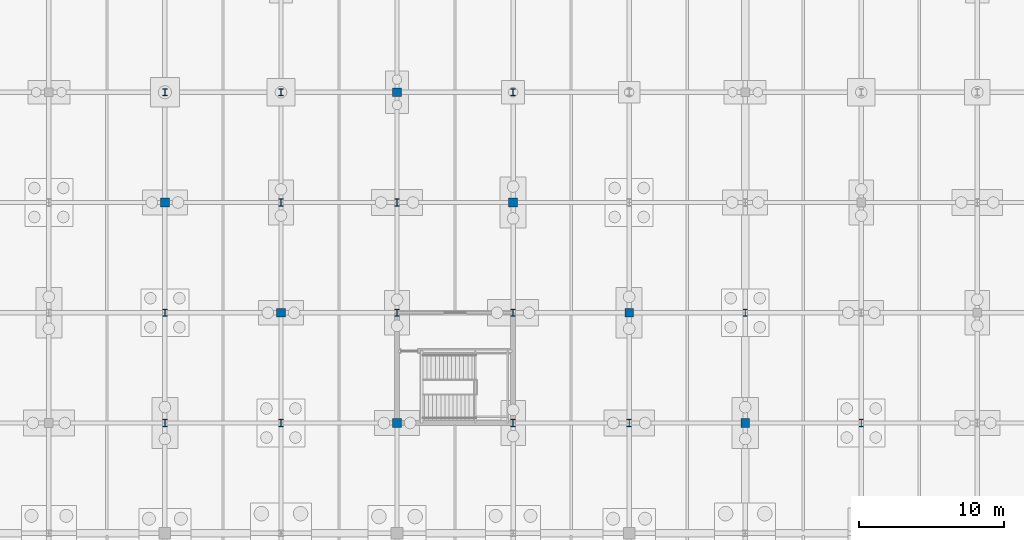
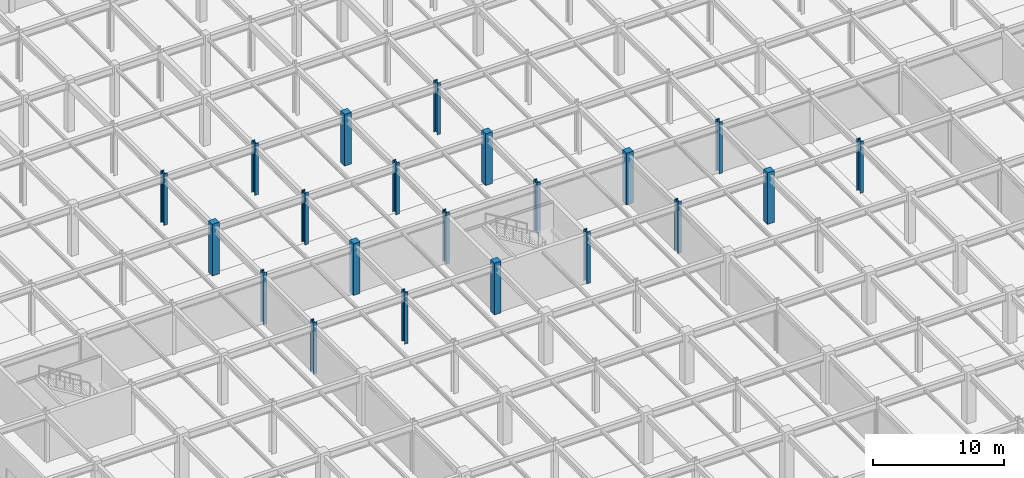
# One storey, part 21 of 53: 21 columns.
"""IFC4 building model written with IfcOpenShell, lengths in metres."""

from ifc_helpers import new_model, si_unit, direction, frame, origin, origin_2d, place, context, subcontext, project, spatial, rectangle, i_section, extrude, material, material_profile, profile_set, type_object, element, save


model = new_model("IFC4")

# Units and contexts
model_context = context("Model", 3, precision=1e-05, world=origin(), true_north=direction((0.0, 1.0)))
body_context = subcontext(model_context, "Body", "Model", "MODEL_VIEW")
ifc_project = project(units=[si_unit("LENGTHUNIT", "METRE"), si_unit("AREAUNIT", "SQUARE_METRE"), si_unit("VOLUMEUNIT", "CUBIC_METRE"), si_unit("PLANEANGLEUNIT", "RADIAN"), si_unit("MASSUNIT", "GRAM", prefix="KILO")], contexts=[model_context])

# Site, building, storey
site_placement = place(None, origin())
site = spatial("IfcSite", under=ifc_project, at=site_placement, CompositionType="ELEMENT")
building_placement = place(site_placement, origin())
building = spatial("IfcBuilding", under=site, at=building_placement, Name="Shalkamar Park Central Library", CompositionType="ELEMENT")
storey_placement = place(building_placement, frame((0.0, 0.0, -4.800048828125)))
storey = spatial("IfcBuildingStorey", under=building, at=storey_placement, Name="B1", CompositionType="ELEMENT", Elevation=-4.800048828125)

# Columns
ifc_material_1 = material(Name="Concrete C40/50", Category="concrete")
ifc_material_profile_1 = material_profile(ifc_material_1, rectangle(XDim=0.60009765625, YDim=0.60009765625, at=origin_2d()), Name="RC 600x600")
ifc_profile_set_1 = profile_set([ifc_material_profile_1], Name="Concrete C40/50")
column_type_1 = type_object("IfcColumnType", Name="Column Concrete RC600", PredefinedType="COLUMN", material=ifc_profile_set_1)
for number, where, z_axis, x_axis, name in (
    (1, (181.0, 316.0, 0.0), (0.0, 0.0, 1.0), (1.0, 0.0, 0.0), "Column 09/L (B1)"),
    (2, (189.0, 308.39990234375, 0.0), (0.0, 0.0, 1.0), (1.0, 0.0, 0.0), "Column 10/K (B1)"),
    (3, (197.0, 300.800048828125, 0.0), (0.0, 0.0, 1.0), (1.0, 0.0, 0.0), "Column 11/J (B1)"),
    (4, (197.0, 323.60009765625, 0.0), (0.0, 0.0, 1.0), (1.0, 0.0, 0.0), "Column 11/M (B1)"),
    (5, (205.0, 316.0, 0.0), (0.0, 0.0, 1.0), (1.0, 0.0, 0.0), "Column 12/L (B1)"),
    (6, (213.0, 308.39990234375, 0.0), (0.0, 0.0, 1.0), (1.0, 0.0, 0.0), "Column 13/K (B1)"),
    (7, (221.0, 300.800048828125, 0.0), (0.0, 0.0, 1.0), (1.0, 0.0, 0.0), "Column 14/J (B1)"),
):
    element("IfcColumn", number, at=place(storey_placement, frame(where, z_axis=z_axis, x_axis=x_axis)), inside=storey, type_object=column_type_1, Name=name, PredefinedType="COLUMN", context=body_context, shape_type="SweptSolid", body=[
        extrude(rectangle(XDim=0.60009765625, YDim=0.60009765625, at=origin_2d()), origin(), (0.0, 0.0, 1.0), 4.800048828125),
    ])
ifc_material_2 = material(Name="Steel S355", Category="steel")
ifc_material_profile_2 = material_profile(ifc_material_2, i_section(OverallWidth=0.300048828125, OverallDepth=0.5, WebThickness=0.014404296875, FlangeThickness=0.028076171875, FilletRadius=0.027099609375, at=origin_2d()), Name="HEB 500")
ifc_profile_set_2 = profile_set([ifc_material_profile_2], Name="Steel S355")
column_type_2 = type_object("IfcColumnType", Name="Column Steel HEB500", PredefinedType="COLUMN", material=ifc_profile_set_2)
for number, where, z_axis, x_axis, name in (
    (8, (181.0, 300.800048828125, 0.0), (0.0, 0.0, 1.0), (1.0, 0.0, 0.0), "Column 09/J (B1)"),
    (9, (181.0, 308.39990234375, 0.0), (0.0, 0.0, 1.0), (1.0, 0.0, 0.0), "Column 09/K (B1)"),
    (10, (181.0, 323.60009765625, 0.0), (0.0, 0.0, 1.0), (1.0, 0.0, 0.0), "Column 09/M (B1)"),
    (11, (189.0, 300.800048828125, 0.0), (0.0, 0.0, 1.0), (1.0, 0.0, 0.0), "Column 10/J (B1)"),
    (12, (189.0, 316.0, 0.0), (0.0, 0.0, 1.0), (1.0, 0.0, 0.0), "Column 10/L (B1)"),
    (13, (189.0, 323.60009765625, 0.0), (0.0, 0.0, 1.0), (1.0, 0.0, 0.0), "Column 10/M (B1)"),
    (14, (197.0, 308.39990234375, 0.0), (0.0, 0.0, 1.0), (1.0, 0.0, 0.0), "Column 11/K (B1)"),
    (15, (197.0, 316.0, 0.0), (0.0, 0.0, 1.0), (1.0, 0.0, 0.0), "Column 11/L (B1)"),
    (16, (205.0, 300.800048828125, 0.0), (0.0, 0.0, 1.0), (1.0, 0.0, 0.0), "Column 12/J (B1)"),
    (17, (205.0, 308.39990234375, 0.0), (0.0, 0.0, 1.0), (1.0, 0.0, 0.0), "Column 12/K (B1)"),
    (18, (205.0, 323.60009765625, 0.0), (0.0, 0.0, 1.0), (1.0, 0.0, 0.0), "Column 12/M (B1)"),
    (19, (213.0, 300.800048828125, 0.0), (0.0, 0.0, 1.0), (1.0, 0.0, 0.0), "Column 13/J (B1)"),
    (20, (221.0, 308.39990234375, 0.0), (0.0, 0.0, 1.0), (1.0, 0.0, 0.0), "Column 14/K (B1)"),
    (21, (229.0, 300.800048828125, 0.0), (0.0, 0.0, 1.0), (1.0, 0.0, 0.0), "Column 15/J (B1)"),
):
    element("IfcColumn", number, at=place(storey_placement, frame(where, z_axis=z_axis, x_axis=x_axis)), inside=storey, type_object=column_type_2, Name=name, PredefinedType="COLUMN", context=body_context, shape_type="SweptSolid", body=[
        extrude(i_section(OverallWidth=0.300048828125, OverallDepth=0.5, WebThickness=0.014404296875, FlangeThickness=0.028076171875, FilletRadius=0.027099609375, at=origin_2d()), origin(), (0.0, 0.0, 1.0), 4.800048828125),
    ])

save(model, "model.ifc")
